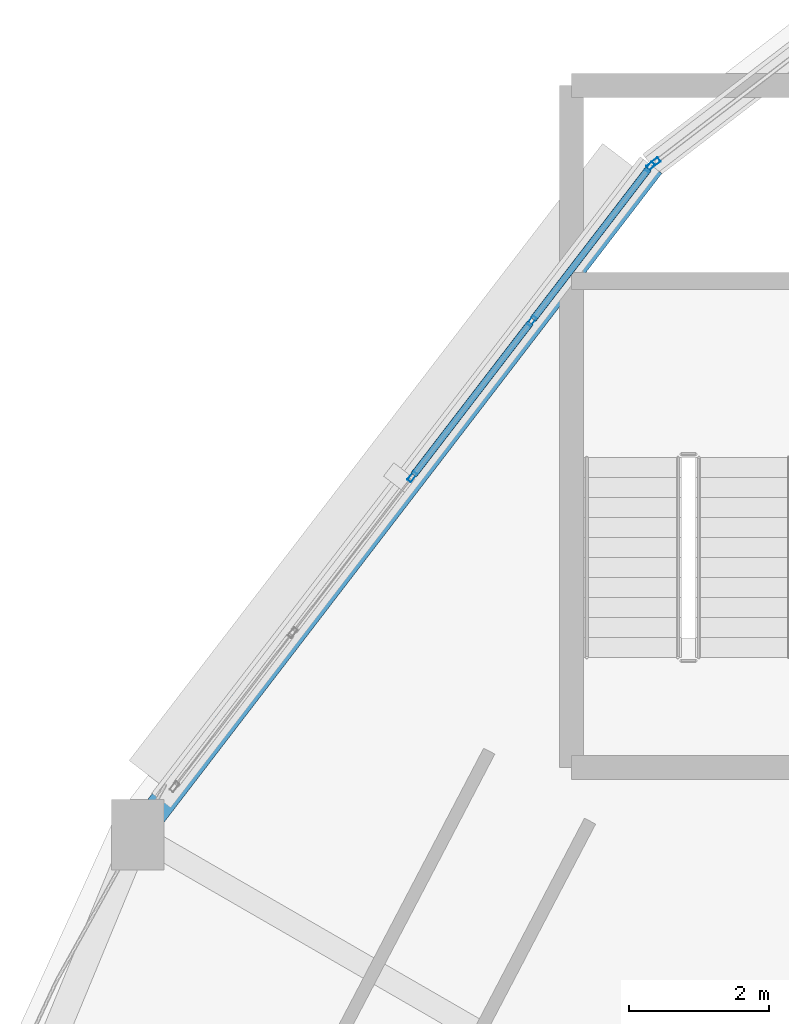
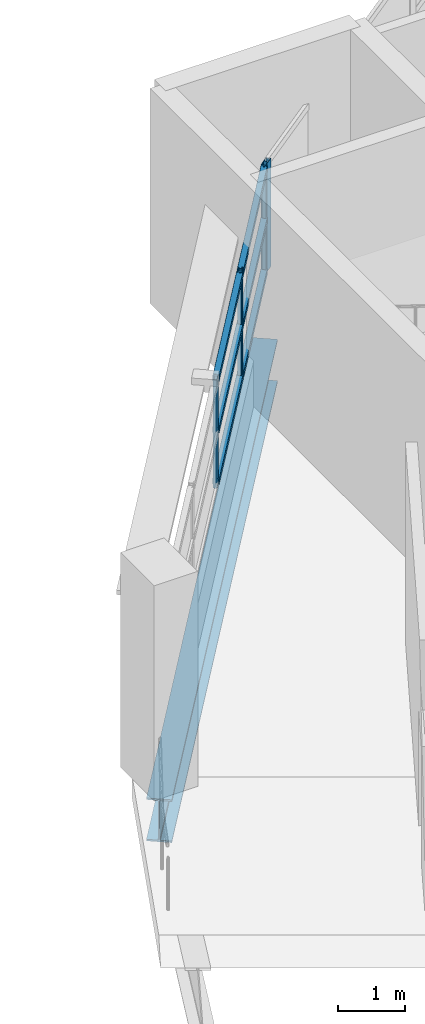
# One storey, part 60 of 108: 10 members, 1 beam, 2 elements without a shape of their own.
"""IFC4 building model written with IfcOpenShell, lengths in metres."""

from ifc_helpers import new_model, si_unit, direction, frame, origin, origin_2d, place, context, subcontext, project, spatial, hollow_rectangle, i_section, extrude, material, layer, layer_set, material_profile, profile_set, type_object, element, aggregate, save


model = new_model("IFC4")

# Units and contexts
model_context = context("Model", 3, precision=1e-05, world=origin(), true_north=direction((0.0, 1.0)))
body_context = subcontext(model_context, "Body", "Model", "MODEL_VIEW")
ifc_project = project(units=[si_unit("LENGTHUNIT", "METRE"), si_unit("AREAUNIT", "SQUARE_METRE"), si_unit("VOLUMEUNIT", "CUBIC_METRE"), si_unit("PLANEANGLEUNIT", "RADIAN"), si_unit("MASSUNIT", "GRAM", prefix="KILO")], contexts=[model_context])

# Site, building, storey
site_placement = place(None, origin())
site = spatial("IfcSite", under=ifc_project, at=site_placement, CompositionType="ELEMENT")
building_placement = place(site_placement, origin())
building = spatial("IfcBuilding", under=site, at=building_placement, Name="Vespera Passage Community Centre", CompositionType="ELEMENT")
storey_placement = place(building_placement, frame((0.0, 0.0, 12.60009765625)))
storey = spatial("IfcBuildingStorey", under=building, at=storey_placement, Name="L03", CompositionType="ELEMENT", Elevation=12.60009765625)

# Beam
ifc_material_1 = material(Name="Steel ASTM A992 Grade 50", Category="steel")
ifc_material_profile_1 = material_profile(ifc_material_1, i_section(OverallWidth=0.382080078125, OverallDepth=0.779296875, WebThickness=0.01806640625, FlangeThickness=0.030029296875, FilletRadius=0.0166015625, at=origin_2d()), Name="W30X191")
ifc_profile_set_1 = profile_set([ifc_material_profile_1], Name="Steel ASTM A992 Grade 50")
beam_type = type_object("IfcBeamType", Name="BM-SP-W30X191E", PredefinedType="SPANDREL", material=ifc_profile_set_1)
beam_placement = place(storey_placement, frame((45.40234375, 98.09765625, -0.789794921875), z_axis=(-0.608763261066, -0.793351934501, 0.0), x_axis=(0.793351934501, -0.608763261066, 0.0)))
element("IfcBeam", 1, at=beam_placement, inside=storey, type_object=beam_type, Name="V4 L03 Outer Spandrel 9", PredefinedType="SPANDREL", context=body_context, shape_type="SweptSolid", body=[
    extrude(i_section(OverallWidth=0.382080078125, OverallDepth=0.779296875, WebThickness=0.01806640625, FlangeThickness=0.030029296875, FilletRadius=0.0166015625, at=origin_2d()), origin(), (0.0, 0.0, 1.0), 12.034423828125),
])

# Curtain wall, members
ifc_material_2 = material(Name="Anodized aluminium 6063-T6", Category="aluminium")
ifc_layer_1 = layer(ifc_material_2, 0.159912109375)
ifc_layer_set_1 = layer_set([ifc_layer_1], Name="Anodized aluminium 6063-T6")
curtain_wall_type_1 = type_object("IfcCurtainWallType", Name="CW-46E", PredefinedType="NOTDEFINED", material=ifc_layer_set_1)
curtain_wall_1_placement = place(storey_placement, origin())
curtain_wall_1 = element("IfcCurtainWall", 2, at=curtain_wall_1_placement, inside=storey, type_object=curtain_wall_type_1, Name="V4 L03 Outer Ribbon Curtain Wall 9", PredefinedType="NOTDEFINED")
ifc_material_3 = material(Name="Anodized aluminium 6063-T6", Category="aluminium")
ifc_material_profile_2 = material_profile(ifc_material_3, hollow_rectangle(XDim=0.06494140625, YDim=0.14990234375, WallThickness=0.00390625, InnerFilletRadius=0.001953125, OuterFilletRadius=0.00390625, at=origin_2d()), Name="ALU150X65X4")
ifc_profile_set_2 = profile_set([ifc_material_profile_2], Name="Anodized aluminium 6063-T6")
member_type_1 = type_object("IfcMemberType", Name="MB-CWM-150E", PredefinedType="MULLION", material=ifc_profile_set_2)
member_1_placement = place(storey_placement, frame((41.9921875, 93.653564453125, 0.81982421875), z_axis=(0.0, 0.0, 1.0), x_axis=(-0.793350429062, 0.608765222978, 0.0)))
member_1 = element("IfcMember", 3, at=member_1_placement, type_object=member_type_1, Name="CW-46E mullion 3", PredefinedType="MULLION", context=body_context, shape_type="SweptSolid", body=[
    extrude(hollow_rectangle(XDim=0.06494140625, YDim=0.14990234375, WallThickness=0.00390625, InnerFilletRadius=0.001953125, OuterFilletRadius=0.00390625, at=origin_2d()), origin(), (0.0, 0.0, 1.0), 1.965576171875),
])
member_2_placement = place(storey_placement, frame((43.697265625, 95.87548828125, 0.81982421875), z_axis=(0.0, 0.0, 1.0), x_axis=(-0.793350429062, 0.608765222978, 0.0)))
member_2 = element("IfcMember", 4, at=member_2_placement, type_object=member_type_1, Name="CW-46E mullion 4", PredefinedType="MULLION", context=body_context, shape_type="SweptSolid", body=[
    extrude(hollow_rectangle(XDim=0.06494140625, YDim=0.14990234375, WallThickness=0.00390625, InnerFilletRadius=0.001953125, OuterFilletRadius=0.00390625, at=origin_2d()), origin(), (0.0, 0.0, 1.0), 1.965576171875),
])
member_3_placement = place(storey_placement, frame((45.382568359375, 98.07177734375, 0.81982421875), z_axis=(0.0, 0.0, 1.0), x_axis=(-0.793350429062, 0.608765222978, 0.0)))
member_3 = element("IfcMember", 5, at=member_3_placement, type_object=member_type_1, Name="CW-46E mullion 5", PredefinedType="MULLION", context=body_context, shape_type="SweptSolid", body=[
    extrude(hollow_rectangle(XDim=0.06494140625, YDim=0.14990234375, WallThickness=0.00390625, InnerFilletRadius=0.001953125, OuterFilletRadius=0.00390625, at=origin_2d()), origin(), (0.0, 0.0, 1.0), 1.965576171875),
])

# Curtain wall, member
ifc_material_4 = material(Name="Anodized aluminium 6063-T6", Category="aluminium")
ifc_layer_2 = layer(ifc_material_4, 0.159912109375)
ifc_layer_set_2 = layer_set([ifc_layer_2], Name="Anodized aluminium 6063-T6")
curtain_wall_type_2 = type_object("IfcCurtainWallType", Name="CW-44E", PredefinedType="NOTDEFINED", material=ifc_layer_set_2)
curtain_wall_2_placement = place(storey_placement, origin())
curtain_wall_2 = element("IfcCurtainWall", 6, at=curtain_wall_2_placement, inside=storey, type_object=curtain_wall_type_2, Name="V4 L03 Outer Ribbon Curtain Wall 8", PredefinedType="NOTDEFINED")
ifc_material_5 = material(Name="Anodized aluminium 6063-T6", Category="aluminium")
ifc_material_profile_3 = material_profile(ifc_material_5, hollow_rectangle(XDim=0.074951171875, YDim=0.2099609375, WallThickness=0.0048828125, InnerFilletRadius=0.00244140625, OuterFilletRadius=0.0048828125, at=origin_2d()), Name="ALU210X75X5")
ifc_profile_set_3 = profile_set([ifc_material_profile_3], Name="Anodized aluminium 6063-T6")
member_type_2 = type_object("IfcMemberType", Name="MB-CWM-210E", PredefinedType="MULLION", material=ifc_profile_set_3)
member_4_placement = place(storey_placement, frame((45.43212890625, 98.120361328125, 0.81982421875), z_axis=(0.0, 0.0, 1.0), x_axis=(-0.608768221519, 0.793348128169, 0.0)))
member_4 = element("IfcMember", 7, at=member_4_placement, type_object=member_type_2, Name="CW-44E mullion 1", PredefinedType="MULLION", context=body_context, shape_type="SweptSolid", body=[
    extrude(hollow_rectangle(XDim=0.074951171875, YDim=0.2099609375, WallThickness=0.0048828125, InnerFilletRadius=0.00244140625, OuterFilletRadius=0.0048828125, at=origin_2d()), origin(), (0.0, 0.0, 1.0), 1.965576171875),
])
aggregate(curtain_wall_2, [member_4])

# Member
ifc_material_6 = material(Name="Anodized aluminium 6063-T6", Category="aluminium")
ifc_material_profile_4 = material_profile(ifc_material_6, hollow_rectangle(XDim=0.10009765625, YDim=0.10009765625, WallThickness=0.00390625, InnerFilletRadius=0.001953125, OuterFilletRadius=0.00390625, at=origin_2d()), Name="ALU100X100X4")
ifc_profile_set_4 = profile_set([ifc_material_profile_4], Name="Anodized aluminium 6063-T6")
member_type_3 = type_object("IfcMemberType", Name="MB-CWT-100E", PredefinedType="USERDEFINED", material=ifc_profile_set_4)
member_5_placement = place(storey_placement, frame((42.011962890625, 93.67919921875, 0.869873046875), z_axis=(0.608744341023, 0.793366452072, 0.0), x_axis=(-0.793366452072, 0.608744341023, 0.0)))
member_5 = element("IfcMember", 8, at=member_5_placement, type_object=member_type_3, Name="CW-46E transom 3.1", ObjectType="TRANSOM", PredefinedType="USERDEFINED", context=body_context, shape_type="SweptSolid", body=[
    extrude(hollow_rectangle(XDim=0.10009765625, YDim=0.10009765625, WallThickness=0.00390625, InnerFilletRadius=0.001953125, OuterFilletRadius=0.00390625, at=origin_2d()), origin(), (0.0, 0.0, 1.0), 2.736083984375),
])

member_6_placement = place(storey_placement, frame((42.011962890625, 93.67919921875, 1.802734375), z_axis=(0.608744341023, 0.793366452072, 0.0), x_axis=(-0.793366452072, 0.608744341023, 0.0)))
member_6 = element("IfcMember", 9, at=member_6_placement, type_object=member_type_3, Name="CW-46E transom 3.2", ObjectType="TRANSOM", PredefinedType="USERDEFINED", context=body_context, shape_type="SweptSolid", body=[
    extrude(hollow_rectangle(XDim=0.10009765625, YDim=0.10009765625, WallThickness=0.00390625, InnerFilletRadius=0.001953125, OuterFilletRadius=0.00390625, at=origin_2d()), origin(), (0.0, 0.0, 1.0), 2.736083984375),
])

member_7_placement = place(storey_placement, frame((42.011962890625, 93.67919921875, 2.735595703125), z_axis=(0.608744341023, 0.793366452072, 0.0), x_axis=(-0.793366452072, 0.608744341023, 0.0)))
member_7 = element("IfcMember", 10, at=member_7_placement, type_object=member_type_3, Name="CW-46E transom 3.3", ObjectType="TRANSOM", PredefinedType="USERDEFINED", context=body_context, shape_type="SweptSolid", body=[
    extrude(hollow_rectangle(XDim=0.10009765625, YDim=0.10009765625, WallThickness=0.00390625, InnerFilletRadius=0.001953125, OuterFilletRadius=0.00390625, at=origin_2d()), origin(), (0.0, 0.0, 1.0), 2.736083984375),
])

member_8_placement = place(storey_placement, frame((43.717041015625, 95.9013671875, 0.869873046875), z_axis=(0.60876327124, 0.793351926694, 0.0), x_axis=(-0.793351926694, 0.60876327124, 0.0)))
member_8 = element("IfcMember", 11, at=member_8_placement, type_object=member_type_3, Name="CW-46E transom 4.1", ObjectType="TRANSOM", PredefinedType="USERDEFINED", context=body_context, shape_type="SweptSolid", body=[
    extrude(hollow_rectangle(XDim=0.10009765625, YDim=0.10009765625, WallThickness=0.00390625, InnerFilletRadius=0.001953125, OuterFilletRadius=0.00390625, at=origin_2d()), origin(), (0.0, 0.0, 1.0), 2.703369140625),
])

member_9_placement = place(storey_placement, frame((43.717041015625, 95.9013671875, 1.802734375), z_axis=(0.60876327124, 0.793351926694, 0.0), x_axis=(-0.793351926694, 0.60876327124, 0.0)))
member_9 = element("IfcMember", 12, at=member_9_placement, type_object=member_type_3, Name="CW-46E transom 4.2", ObjectType="TRANSOM", PredefinedType="USERDEFINED", context=body_context, shape_type="SweptSolid", body=[
    extrude(hollow_rectangle(XDim=0.10009765625, YDim=0.10009765625, WallThickness=0.00390625, InnerFilletRadius=0.001953125, OuterFilletRadius=0.00390625, at=origin_2d()), origin(), (0.0, 0.0, 1.0), 2.703369140625),
])

member_10_placement = place(storey_placement, frame((43.717041015625, 95.9013671875, 2.735595703125), z_axis=(0.60876327124, 0.793351926694, 0.0), x_axis=(-0.793351926694, 0.60876327124, 0.0)))
member_10 = element("IfcMember", 13, at=member_10_placement, type_object=member_type_3, Name="CW-46E transom 4.3", ObjectType="TRANSOM", PredefinedType="USERDEFINED", context=body_context, shape_type="SweptSolid", body=[
    extrude(hollow_rectangle(XDim=0.10009765625, YDim=0.10009765625, WallThickness=0.00390625, InnerFilletRadius=0.001953125, OuterFilletRadius=0.00390625, at=origin_2d()), origin(), (0.0, 0.0, 1.0), 2.703369140625),
])

aggregate(curtain_wall_1, [member_1, member_2, member_3, member_5, member_6, member_7, member_8, member_9, member_10])

save(model, "model.ifc")
